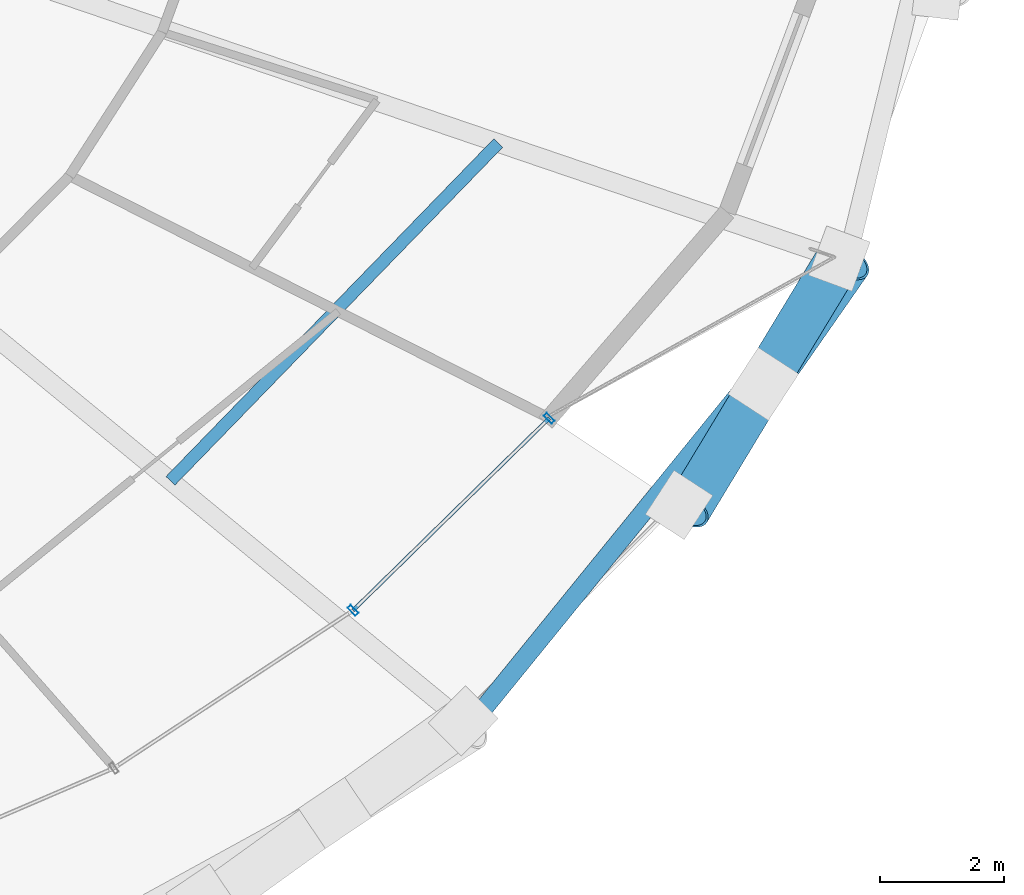
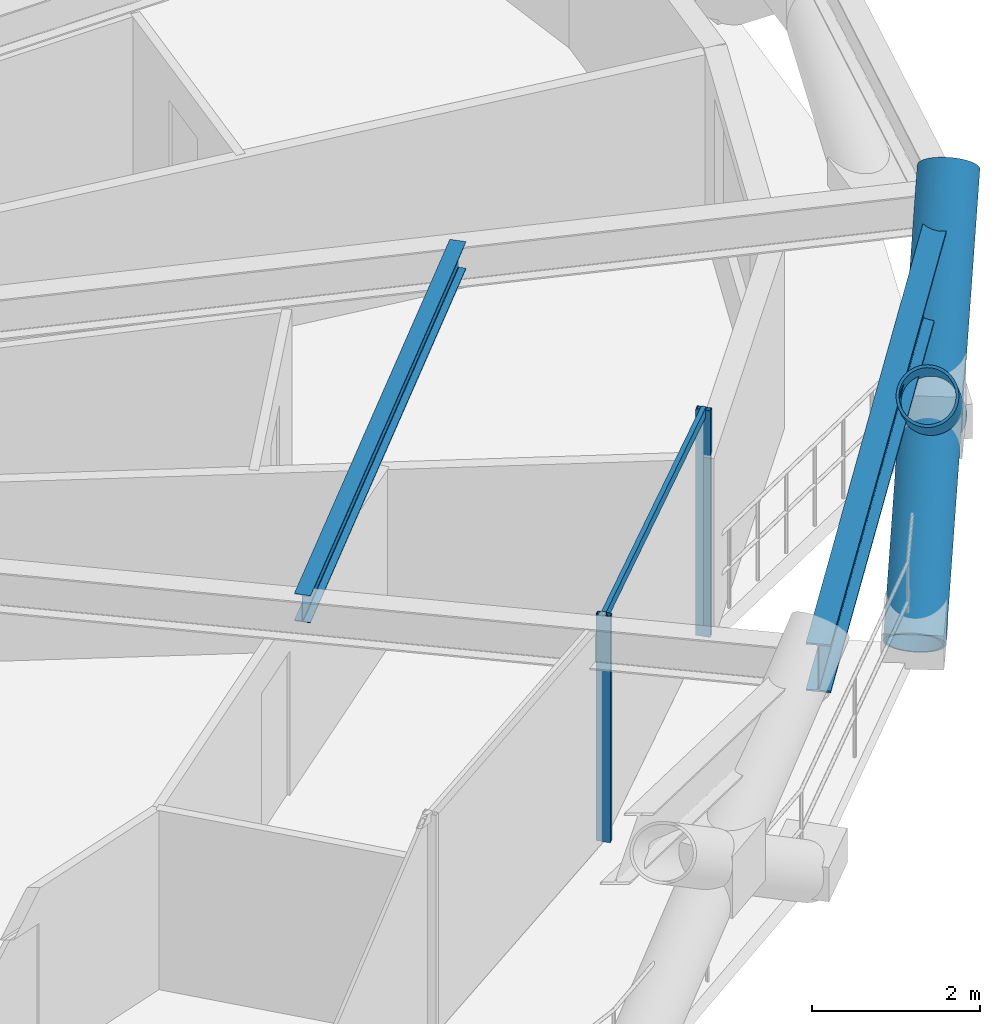
# One storey, part 9 of 18: 6 members, 2 beams, 1 element without a shape of its own.
"""IFC4 building model written with IfcOpenShell, lengths in metres."""

from ifc_helpers import new_model, si_unit, direction, frame, origin, origin_2d, place, context, subcontext, project, spatial, hollow_rectangle, hollow_circle, i_section, extrude, material, layer, layer_set, material_profile, profile_set, type_object, element, aggregate, save


model = new_model("IFC4")

# Units and contexts
model_context = context("Model", 3, precision=1e-05, world=origin(), true_north=direction((0.0, 1.0)))
body_context = subcontext(model_context, "Body", "Model", "MODEL_VIEW")
ifc_project = project(units=[si_unit("LENGTHUNIT", "METRE"), si_unit("AREAUNIT", "SQUARE_METRE"), si_unit("VOLUMEUNIT", "CUBIC_METRE"), si_unit("PLANEANGLEUNIT", "RADIAN"), si_unit("MASSUNIT", "GRAM", prefix="KILO")], contexts=[model_context])

# Site, building, storey
site_placement = place(None, origin())
site = spatial("IfcSite", under=ifc_project, at=site_placement, CompositionType="ELEMENT")
building_placement = place(site_placement, origin())
building = spatial("IfcBuilding", under=site, at=building_placement, Name="Veldorina Hangang Commons", CompositionType="ELEMENT")
storey_placement = place(building_placement, frame((0.0, 0.0, 41.199951171875)))
storey = spatial("IfcBuildingStorey", under=building, at=storey_placement, Name="L09", CompositionType="ELEMENT", Elevation=41.199951171875)

# Beams
ifc_material_1 = material(Name="Steel SM355-TMC", Category="steel")
ifc_material_profile_1 = material_profile(ifc_material_1, i_section(OverallWidth=0.199951171875, OverallDepth=0.39990234375, WebThickness=0.008056640625, FlangeThickness=0.012939453125, FilletRadius=0.012939453125, at=origin_2d()), Name="H-400x200x8x13")
ifc_profile_set_1 = profile_set([ifc_material_profile_1], Name="Steel SM355-TMC")
beam_type_1 = type_object("IfcBeamType", Name="BM-JST400", PredefinedType="JOIST", material=ifc_profile_set_1)
beam_1_placement = place(storey_placement, frame((47.06591796875, 11.612548828125, 3.14013671875), z_axis=(0.696393147463, 0.717660493665, 0.0), x_axis=(-0.717660493665, 0.696393147463, 0.0)))
element("IfcBeam", 1, at=beam_1_placement, inside=storey, type_object=beam_type_1, Name="L09 secondary floor joist 15", PredefinedType="JOIST", context=body_context, shape_type="SweptSolid", body=[
    extrude(i_section(OverallWidth=0.199951171875, OverallDepth=0.39990234375, WebThickness=0.008056640625, FlangeThickness=0.012939453125, FilletRadius=0.012939453125, at=origin_2d()), origin(), (0.0, 0.0, 1.0), 7.599609375),
])
ifc_material_2 = material(Name="Steel SM460-TMC", Category="steel")
ifc_material_profile_2 = material_profile(ifc_material_2, i_section(OverallWidth=0.300048828125, OverallDepth=0.699951171875, WebThickness=0.012939453125, FlangeThickness=0.02392578125, FilletRadius=0.02197265625, at=origin_2d()), Name="H-700x300x13x24")
ifc_profile_set_2 = profile_set([ifc_material_profile_2], Name="Steel SM460-TMC")
beam_type_2 = type_object("IfcBeamType", Name="BM-RB700", PredefinedType="BEAM", material=ifc_profile_set_2)
beam_2_placement = place(storey_placement, frame((51.886962890625, 7.6484375, 2.989990234375), z_axis=(0.630663930224, 0.77605605926, 0.0), x_axis=(-0.77605605926, 0.630663930224, 0.0)))
element("IfcBeam", 2, at=beam_2_placement, inside=storey, type_object=beam_type_2, Name="L09 perimeter hoop ring beam 28", PredefinedType="BEAM", context=body_context, shape_type="SweptSolid", body=[
    extrude(i_section(OverallWidth=0.300048828125, OverallDepth=0.699951171875, WebThickness=0.012939453125, FlangeThickness=0.02392578125, FilletRadius=0.02197265625, at=origin_2d()), origin(), (0.0, 0.0, 1.0), 9.6669921875),
])

# Curtain wall, members
ifc_material_3 = material(Name="Glass Low-E Triple IGU", Category="glass")
ifc_layer = layer(ifc_material_3, 0.179931640625)
ifc_layer_set = layer_set([ifc_layer], Name="Glass Low-E Triple IGU")
curtain_wall_type = type_object("IfcCurtainWallType", Name="CW-SYS-Z1", PredefinedType="NOTDEFINED", material=ifc_layer_set)
curtain_wall_placement = place(storey_placement, origin())
curtain_wall = element("IfcCurtainWall", 3, at=curtain_wall_placement, inside=storey, type_object=curtain_wall_type, Name="L09 unitised curtain wall CW-L09-R2", PredefinedType="NOTDEFINED")
ifc_material_4 = material(Name="Aluminium Anodized AA6063-T6", Category="aluminium")
ifc_material_profile_3 = material_profile(ifc_material_4, hollow_rectangle(XDim=0.070068359375, YDim=0.179931640625, WallThickness=0.00390625, at=origin_2d()), Name="ALU-RHS-180x70x4")
ifc_profile_set_3 = profile_set([ifc_material_profile_3], Name="Aluminium Anodized AA6063-T6")
member_type_1 = type_object("IfcMemberType", Name="CW-MUL-180", PredefinedType="MULLION", material=ifc_profile_set_3)
member_1_placement = place(storey_placement, frame((50.013916015625, 9.521728515625, 0.0), z_axis=(0.0, 0.0, 1.0), x_axis=(0.71444825634, 0.699688279888, 0.0)))
member_1 = element("IfcMember", 4, at=member_1_placement, type_object=member_type_1, Name="CW-L09-R2 vertical mullion 5", PredefinedType="MULLION", context=body_context, shape_type="SweptSolid", body=[
    extrude(hollow_rectangle(XDim=0.070068359375, YDim=0.179931640625, WallThickness=0.00390625, at=origin_2d()), origin(), (0.0, 0.0, 1.0), 3.300048828125),
])
member_2_placement = place(storey_placement, frame((53.181884765625, 12.62451171875, 0.0), z_axis=(0.0, 0.0, 1.0), x_axis=(-0.71444825634, -0.699688279888, 0.0)))
member_2 = element("IfcMember", 5, at=member_2_placement, type_object=member_type_1, Name="CW-L09-R2 vertical mullion 6", PredefinedType="MULLION", context=body_context, shape_type="SweptSolid", body=[
    extrude(hollow_rectangle(XDim=0.070068359375, YDim=0.179931640625, WallThickness=0.00390625, at=origin_2d()), origin(), (0.0, 0.0, 1.0), 3.300048828125),
])
ifc_material_profile_4 = material_profile(ifc_material_4, hollow_rectangle(XDim=0.06005859375, YDim=0.139892578125, WallThickness=0.00341796875, at=origin_2d()), Name="ALU-RHS-140x60x3.5")
ifc_profile_set_4 = profile_set([ifc_material_profile_4], Name="Aluminium Anodized AA6063-T6")
member_type_2 = type_object("IfcMemberType", Name="CW-TRN-140", PredefinedType="USERDEFINED", material=ifc_profile_set_4)
member_3_placement = place(storey_placement, frame((50.013916015625, 9.521728515625, 3.260009765625), z_axis=(0.714418679139, 0.699718479745, 0.0), x_axis=(-0.699718479745, 0.714418679139, 0.0)))
member_3 = element("IfcMember", 6, at=member_3_placement, type_object=member_type_2, Name="CW-L09-R2 facet 5 transom 1", ObjectType="TRANSOM", PredefinedType="USERDEFINED", context=body_context, shape_type="SweptSolid", body=[
    extrude(hollow_rectangle(XDim=0.06005859375, YDim=0.139892578125, WallThickness=0.00341796875, at=origin_2d()), origin(), (0.0, 0.0, 1.0), 4.434326171875),
])
aggregate(curtain_wall, [member_1, member_2, member_3])

# Members
ifc_material_profile_5 = material_profile(ifc_material_2, hollow_circle(Radius=0.375, WallThickness=0.035888671875, at=origin_2d()), Name="CHS-750x36")
ifc_profile_set_5 = profile_set([ifc_material_profile_5], Name="Steel SM460-TMC")
member_type_3 = type_object("IfcMemberType", Name="DG-CHS750", PredefinedType="BRACE", material=ifc_profile_set_5)
member_4_placement = place(storey_placement, frame((55.27734375, 11.224365234375, 0.0), z_axis=(0.456645758044, 0.65495838741, 0.602083185633), x_axis=(-0.820304381698, 0.571927199359, 0.0)))
element("IfcMember", 7, at=member_4_placement, inside=storey, type_object=member_type_3, Name="L09 continuous perimeter diagrid brace 29", PredefinedType="BRACE", context=body_context, shape_type="SweptSolid", body=[
    extrude(hollow_circle(Radius=0.375, WallThickness=0.035888671875, at=origin_2d()), origin(), (0.0, 0.0, 1.0), 5.9794921875),
])
member_5_placement = place(storey_placement, frame((57.864501953125, 15.199951171875, 0.0), z_axis=(-0.412943096114, -0.681442429561, 0.604246815934), x_axis=(0.855226932942, -0.518253695762, 0.0)))
element("IfcMember", 8, at=member_5_placement, inside=storey, type_object=member_type_3, Name="L09 split perimeter diagrid lower brace 30", PredefinedType="BRACE", context=body_context, shape_type="SweptSolid", body=[
    extrude(hollow_circle(Radius=0.375, WallThickness=0.035888671875, at=origin_2d()), origin(), (0.0, 0.0, 1.0), 2.9697265625),
])
member_6_placement = place(storey_placement, frame((56.63818359375, 13.17626953125, 1.79443359375), z_axis=(-0.412139718118, -0.681970736739, 0.604199277542), x_axis=(0.855851251448, -0.517222036842, 0.0)))
element("IfcMember", 9, at=member_6_placement, inside=storey, type_object=member_type_3, Name="L09 split perimeter diagrid upper brace 30", PredefinedType="BRACE", context=body_context, shape_type="SweptSolid", body=[
    extrude(hollow_circle(Radius=0.375, WallThickness=0.035888671875, at=origin_2d()), origin(), (0.0, 0.0, 1.0), 2.988525390625),
])

save(model, "model.ifc")
